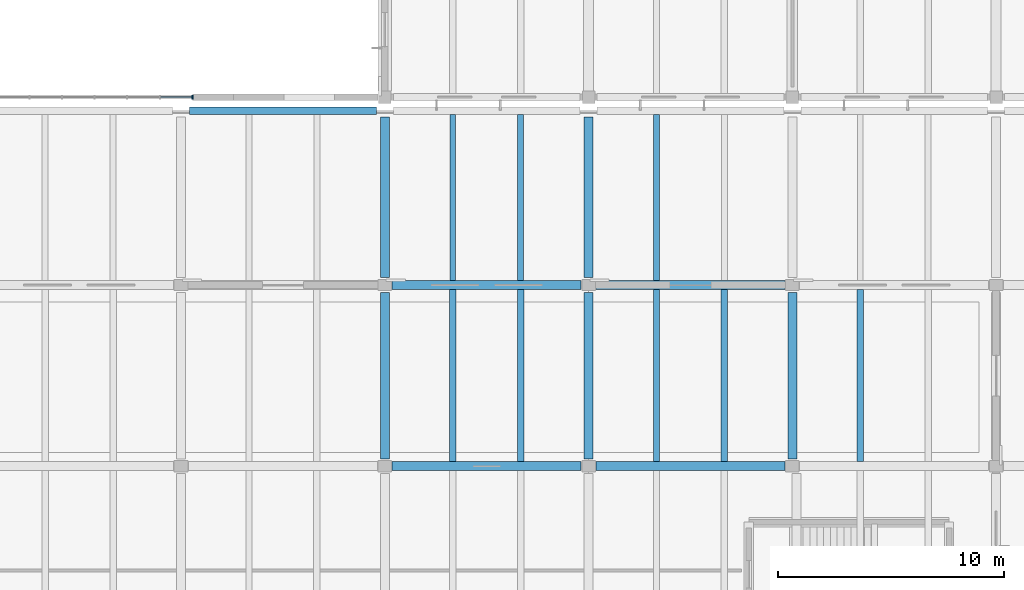
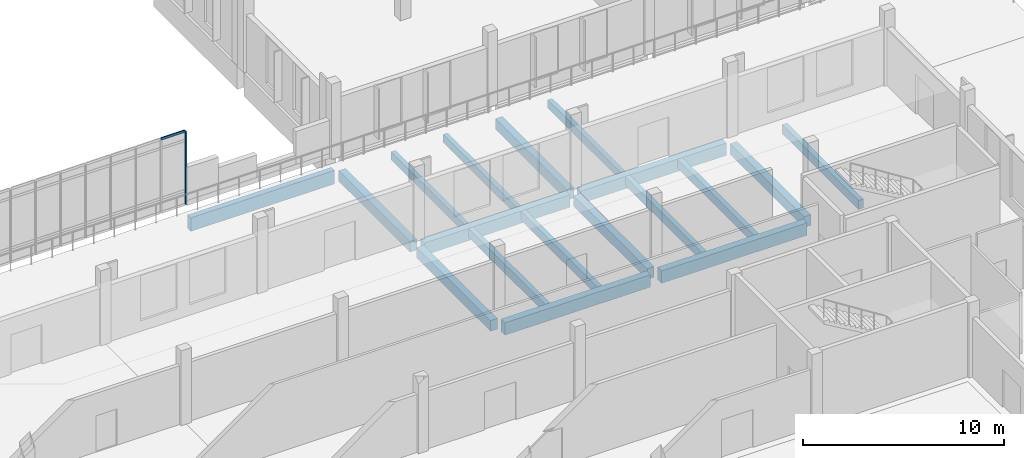
# One storey, part 16 of 63: 18 beams, 2 members, 1 element without a shape of its own.
"""IFC4 building model written with IfcOpenShell, lengths in metres."""

import ifcopenshell
import ifcopenshell.guid

model = None  # the IFC model being written
_history = None  # IfcOwnerHistory: only IFC2X3 demands one
_inside = {}  # id of a spatial element -> (the spatial element, [elements in it])
_under = {}  # id of a project, library or spatial element -> (it, [spatial elements below it])
_declared = {}  # id of a project -> (the project, [libraries it declares])
_typed = {}  # id of a type object -> (the type object, [elements of that type])
_made_of = {}  # id of a material, layer set ... -> (it, [elements and type objects made of it])


def new_model(schema):
    """Start an empty IFC model of exactly this schema.

    Asked for "IFC4X3", IfcOpenShell would pick the latest addendum, in which some entities
    have other attributes; the version numbers below select the first issue.
    IFC2X3 requires an IfcOwnerHistory on every rooted entity: one is made here for all.
    """
    global model, _history
    if schema == "IFC4X3":
        model = ifcopenshell.file(schema_version=(4, 3, 0, 0))
    else:
        model = ifcopenshell.file(schema=schema)
    _inside.clear()
    _under.clear()
    _declared.clear()
    _typed.clear()
    _made_of.clear()
    _history = None
    if model.schema == "IFC2X3":
        org = make("IfcOrganization", Name="unknown")
        user = make(
            "IfcPersonAndOrganization",
            ThePerson=make("IfcPerson", FamilyName="unknown"),
            TheOrganization=org,
        )
        app = make(
            "IfcApplication",
            ApplicationDeveloper=org,
            Version="unknown",
            ApplicationFullName="unknown",
            ApplicationIdentifier="unknown",
        )
        _history = make(
            "IfcOwnerHistory",
            OwningUser=user,
            OwningApplication=app,
            ChangeAction="ADDED",
            CreationDate=0,
        )
    return model


def make(cls, **values):
    """One entity of the class cls with the attributes given. An attribute that is None is left unset."""
    return model.create_entity(
        cls, **{name: value for name, value in values.items() if value is not None}
    )


def rooted(cls, **values):
    """An entity with a GlobalId (a new one), such as an element, a storey or a relation."""
    return make(cls, GlobalId=ifcopenshell.guid.new(), OwnerHistory=_history, **values)


def si_unit(unit_type, name, prefix=None):
    """IfcSIUnit, for example si_unit("LENGTHUNIT", "METRE", prefix="MILLI")."""
    return make("IfcSIUnit", UnitType=unit_type, Prefix=prefix, Name=name)


def assignment(units):
    """IfcUnitAssignment: the units of a project."""
    return None if units is None else make("IfcUnitAssignment", Units=units)


def point(xyz):
    """IfcCartesianPoint."""
    return None if xyz is None else make("IfcCartesianPoint", Coordinates=xyz)


def direction(xyz):
    """IfcDirection."""
    return None if xyz is None else make("IfcDirection", DirectionRatios=xyz)


def frame(location, z_axis=None, x_axis=None):
    """IfcAxis2Placement3D, a coordinate frame: its origin and axes. An axis left out is left unset."""
    return make(
        "IfcAxis2Placement3D",
        Location=point(location),
        Axis=direction(z_axis),
        RefDirection=direction(x_axis),
    )


def frame_2d(location, x_axis=None):
    """IfcAxis2Placement2D, a coordinate frame in the plane: its origin and x axis."""
    return make(
        "IfcAxis2Placement2D", Location=point(location), RefDirection=direction(x_axis)
    )


def origin():
    """The frame at (0, 0, 0) with its axes left unset."""
    return frame((0.0, 0.0, 0.0))


def origin_2d():
    """The frame at (0, 0) in the plane with its x axis left unset."""
    return frame_2d((0.0, 0.0))


def place(relative_to, where):
    """IfcLocalPlacement: puts the frame where relative to a parent placement (None: the world)."""
    return make(
        "IfcLocalPlacement", PlacementRelTo=relative_to, RelativePlacement=where
    )


def context(
    kind, dimensions, precision=None, world=None, true_north=None, identifier=None
):
    """IfcGeometricRepresentationContext, for example the 3D "Model" context."""
    return make(
        "IfcGeometricRepresentationContext",
        ContextIdentifier=identifier,
        ContextType=kind,
        CoordinateSpaceDimension=dimensions,
        Precision=precision,
        WorldCoordinateSystem=world,
        TrueNorth=true_north,
    )


def subcontext(parent, identifier, kind, view, scale=None):
    """IfcGeometricRepresentationSubContext, for example "Body" below "Model"."""
    return make(
        "IfcGeometricRepresentationSubContext",
        ContextIdentifier=identifier,
        ContextType=kind,
        ParentContext=parent,
        TargetScale=scale,
        TargetView=view,
    )


def project(units=None, contexts=None):
    """IfcProject with its units and contexts."""
    return rooted(
        "IfcProject",
        Name="project",
        RepresentationContexts=contexts,
        UnitsInContext=assignment(units),
    )


def spatial(cls, under=None, at=None, **own):
    """A site, building, storey or space (cls), placed at a placement, below another one or the project."""
    s = rooted(cls, ObjectPlacement=at, **own)
    if under is not None:
        _under.setdefault(under.id(), (under, []))[1].append(s)
    return s


def profile(cls, at=None, kind="AREA", **sizes):
    """A parametric profile (cls). Its sizes go by their IFC names, for example OverallWidth=200.0."""
    return make(cls, ProfileType=kind, Position=at, **sizes)


def rectangle(**sizes):
    """IfcRectangleProfileDef."""
    return profile("IfcRectangleProfileDef", **sizes)


def extrude(swept, where, along, depth):
    """IfcExtrudedAreaSolid: the profile swept, set in the frame where, extruded along a direction by depth."""
    return make(
        "IfcExtrudedAreaSolid",
        SweptArea=swept,
        Position=where,
        ExtrudedDirection=direction(along),
        Depth=depth,
    )


def shape(context_of_items, identifier, shape_type, items):
    """IfcShapeRepresentation: the items that make up one representation, for example the "Body"."""
    return make(
        "IfcShapeRepresentation",
        ContextOfItems=context_of_items,
        RepresentationIdentifier=identifier,
        RepresentationType=shape_type,
        Items=items,
    )


def material(Name=None, Category=None):
    """IfcMaterial."""
    return make("IfcMaterial", Name=Name, Category=Category)


def layer(
    of_material, thickness, ventilated=None, Name=None, Category=None, Priority=None
):
    """IfcMaterialLayer: one layer of a wall or slab, of a material (None: an air gap)."""
    return make(
        "IfcMaterialLayer",
        Material=of_material,
        LayerThickness=thickness,
        IsVentilated=ventilated,
        Name=Name,
        Category=Category,
        Priority=Priority,
    )


def layer_set(layers, Name=None):
    """IfcMaterialLayerSet."""
    return make("IfcMaterialLayerSet", MaterialLayers=layers, LayerSetName=Name)


def material_profile(
    of_material, cross_section, Name=None, Category=None, Priority=None
):
    """IfcMaterialProfile: a cross section and its material."""
    return make(
        "IfcMaterialProfile",
        Name=Name,
        Material=of_material,
        Profile=cross_section,
        Priority=Priority,
        Category=Category,
    )


def profile_set(profiles, Name=None, composite=None):
    """IfcMaterialProfileSet."""
    return make(
        "IfcMaterialProfileSet",
        Name=Name,
        MaterialProfiles=profiles,
        CompositeProfile=composite,
    )


def made_of(thing, what):
    """Note that an element or type object is made of a material, layer set ...; save() writes the relation."""
    if what is not None:
        _made_of.setdefault(what.id(), (what, []))[1].append(thing)
    return thing


def type_object(cls, material=None, **own):
    """A type object (cls), such as IfcWallType, which elements share."""
    return made_of(rooted(cls, **own), material)


def element(
    cls,
    number,
    at=None,
    inside=None,
    cuts=None,
    type_object=None,
    material=None,
    context=None,
    identifier="Body",
    shape_type=None,
    held_by="IfcProductDefinitionShape",
    body=None,
    shapes=None,
    **own,
):
    """One element of the class cls, such as IfcWall. Its Tag is "e" and its number.

    at: its placement. inside: the storey or other place that contains it. cuts: it is an
    opening in that element (IfcRelVoidsElement). A single representation is given by context,
    identifier, shape_type and body (its items); several are given by shapes. held_by: the class
    of the entity that holds the representations. save() writes the other relations.
    """
    e = rooted(cls, Tag="e%d" % number, ObjectPlacement=at, **own)
    if body is not None:
        shapes = [shape(context, identifier, shape_type, body)]
    if shapes is not None:
        e.Representation = make(held_by, Representations=shapes)
    if inside is not None:
        _inside.setdefault(inside.id(), (inside, []))[1].append(e)
    if cuts is not None:
        rooted(
            "IfcRelVoidsElement", RelatingBuildingElement=cuts, RelatedOpeningElement=e
        )
    if type_object is not None:
        _typed.setdefault(type_object.id(), (type_object, []))[1].append(e)
    return made_of(e, material)


def aggregate(whole, parts):
    """IfcRelAggregates: a whole, such as a stair, and the parts it consists of."""
    return rooted("IfcRelAggregates", RelatingObject=whole, RelatedObjects=parts)


def save(model, path):
    """Write the relations noted so far, then the file.

    IfcRelAggregates (storeys below a building ...), IfcRelContainedInSpatialStructure (elements
    in a storey), IfcRelDefinesByType, IfcRelAssociatesMaterial and IfcRelDeclares: one each for
    every whole, place, type object, material and project.
    """
    for whole, parts in _under.values():
        aggregate(whole, parts)
    for where, things in _inside.values():
        rooted(
            "IfcRelContainedInSpatialStructure",
            RelatedElements=things,
            RelatingStructure=where,
        )
    for kind, things in _typed.values():
        rooted("IfcRelDefinesByType", RelatedObjects=things, RelatingType=kind)
    for what, things in _made_of.values():
        rooted("IfcRelAssociatesMaterial", RelatedObjects=things, RelatingMaterial=what)
    for by, libraries in _declared.values():
        rooted("IfcRelDeclares", RelatingContext=by, RelatedDefinitions=libraries)
    model.write(path)


model = new_model("IFC4")

# Units and contexts
model_context = context("Model", 3, precision=1e-05, world=origin(), true_north=direction((0.0, 1.0)))
body_context = subcontext(model_context, "Body", "Model", "MODEL_VIEW")
ifc_project = project(units=[si_unit("LENGTHUNIT", "METRE"), si_unit("AREAUNIT", "SQUARE_METRE"), si_unit("VOLUMEUNIT", "CUBIC_METRE"), si_unit("PLANEANGLEUNIT", "RADIAN"), si_unit("MASSUNIT", "GRAM", prefix="KILO")], contexts=[model_context])

# Site, building, storey
site_placement = place(None, origin())
site = spatial("IfcSite", under=ifc_project, at=site_placement, CompositionType="ELEMENT")
building_placement = place(site_placement, origin())
building = spatial("IfcBuilding", under=site, at=building_placement, Name="Zacnel Wholesale Market", CompositionType="ELEMENT")
storey_placement = place(building_placement, frame((0.0, 0.0, 11.199951171875)))
storey = spatial("IfcBuildingStorey", under=building, at=storey_placement, Name="L03", CompositionType="ELEMENT", Elevation=11.199951171875)

# Beams
ifc_material_1 = material(Name="Precast concrete C45/55", Category="concrete")
ifc_material_profile_1 = material_profile(ifc_material_1, rectangle(XDim=0.280029296875, YDim=0.550048828125, at=origin_2d()), Name="DT RIB 280x550")
ifc_profile_set_1 = profile_set([ifc_material_profile_1], Name="Precast concrete C45/55")
beam_type_1 = type_object("IfcBeamType", Name="BM-DT550", PredefinedType="JOIST", material=ifc_profile_set_1)
for number, where, z_axis, x_axis, name in (
    (1, (183.0, 32.199951171875, -0.574951171875), (0.0, 1.0, 0.0), (-1.0, 0.0, 0.0), "Precast secondary joist L03-0439"),
    (2, (186.0, 32.199951171875, -0.574951171875), (0.0, 1.0, 0.0), (-1.0, 0.0, 0.0), "Precast secondary joist L03-0440"),
    (3, (192.0, 32.199951171875, -0.574951171875), (0.0, 1.0, 0.0), (-1.0, 0.0, 0.0), "Precast secondary joist L03-0441"),
    (4, (195.0, 32.199951171875, -0.574951171875), (0.0, 1.0, 0.0), (-1.0, 0.0, 0.0), "Precast secondary joist L03-0442"),
    (5, (201.0, 32.199951171875, -0.574951171875), (0.0, 1.0, 0.0), (-1.0, 0.0, 0.0), "Precast secondary joist L03-0443"),
):
    element("IfcBeam", number, at=place(storey_placement, frame(where, z_axis=z_axis, x_axis=x_axis)), inside=storey, type_object=beam_type_1, Name=name, PredefinedType="JOIST", context=body_context, shape_type="SweptSolid", body=[
        extrude(rectangle(XDim=0.280029296875, YDim=0.550048828125, at=origin_2d()), origin(), (0.0, 0.0, 1.0), 7.60009765625),
    ])
ifc_material_2 = material(Name="Precast concrete C45/55", Category="concrete")
ifc_material_profile_2 = material_profile(ifc_material_2, rectangle(XDim=0.39990234375, YDim=0.64990234375, at=origin_2d()), Name="PG 400x650")
ifc_profile_set_2 = profile_set([ifc_material_profile_2], Name="Precast concrete C45/55")
beam_type_2 = type_object("IfcBeamType", Name="BM-PG650", PredefinedType="BEAM", material=ifc_profile_set_2)
beam_1_placement = place(storey_placement, frame((180.0, 32.324951171875, -0.625), z_axis=(0.0, 1.0, 0.0), x_axis=(-1.0, 0.0, 0.0)))
element("IfcBeam", 6, at=beam_1_placement, inside=storey, type_object=beam_type_2, Name="Precast girder Y-0957", PredefinedType="BEAM", context=body_context, shape_type="SweptSolid", body=[
    extrude(rectangle(XDim=0.39990234375, YDim=0.64990234375, at=origin_2d()), origin(), (0.0, 0.0, 1.0), 7.35009765625),
])
beam_2_placement = place(storey_placement, frame((180.0, 40.324951171875, -0.6650390625), z_axis=(0.0, 1.0, 0.0), x_axis=(-1.0, 0.0, 0.0)))
element("IfcBeam", 7, at=beam_2_placement, inside=storey, type_object=beam_type_2, Name="Precast girder Y-0958", PredefinedType="BEAM", context=body_context, shape_type="SweptSolid", body=[
    extrude(rectangle(XDim=0.39990234375, YDim=0.64990234375, at=origin_2d()), origin(), (0.0, 0.0, 1.0), 7.10009765625),
])
beam_3_placement = place(storey_placement, frame((189.0, 32.324951171875, -0.625), z_axis=(0.0, 1.0, 0.0), x_axis=(-1.0, 0.0, 0.0)))
element("IfcBeam", 8, at=beam_3_placement, inside=storey, type_object=beam_type_2, Name="Precast girder Y-0969", PredefinedType="BEAM", context=body_context, shape_type="SweptSolid", body=[
    extrude(rectangle(XDim=0.39990234375, YDim=0.64990234375, at=origin_2d()), origin(), (0.0, 0.0, 1.0), 7.35009765625),
])
beam_4_placement = place(storey_placement, frame((189.0, 40.324951171875, -0.6650390625), z_axis=(0.0, 1.0, 0.0), x_axis=(-1.0, 0.0, 0.0)))
element("IfcBeam", 9, at=beam_4_placement, inside=storey, type_object=beam_type_2, Name="Precast girder Y-0970", PredefinedType="BEAM", context=body_context, shape_type="SweptSolid", body=[
    extrude(rectangle(XDim=0.39990234375, YDim=0.64990234375, at=origin_2d()), origin(), (0.0, 0.0, 1.0), 7.10009765625),
])
beam_5_placement = place(storey_placement, frame((198.0, 32.324951171875, -0.625), z_axis=(0.0, 1.0, 0.0), x_axis=(-1.0, 0.0, 0.0)))
element("IfcBeam", 10, at=beam_5_placement, inside=storey, type_object=beam_type_2, Name="Precast girder Y-0981", PredefinedType="BEAM", context=body_context, shape_type="SweptSolid", body=[
    extrude(rectangle(XDim=0.39990234375, YDim=0.64990234375, at=origin_2d()), origin(), (0.0, 0.0, 1.0), 7.35009765625),
])
ifc_material_3 = material(Name="Precast concrete C45/55", Category="concrete")
ifc_material_profile_3 = material_profile(ifc_material_3, rectangle(XDim=0.39990234375, YDim=0.75, at=origin_2d()), Name="PG 400x750")
ifc_profile_set_3 = profile_set([ifc_material_profile_3], Name="Precast concrete C45/55")
beam_type_3 = type_object("IfcBeamType", Name="BM-PG750", PredefinedType="BEAM", material=ifc_profile_set_3)
for number, where, z_axis, x_axis, name in (
    (11, (180.324951171875, 32.0, -0.675048828125), (1.0, 0.0, 0.0), (0.0, 1.0, 0.0), "Precast girder X-0627"),
    (12, (189.324951171875, 32.0, -0.675048828125), (1.0, 0.0, 0.0), (0.0, 1.0, 0.0), "Precast girder X-0628"),
    (13, (180.324951171875, 40.0, -0.675048828125), (1.0, 0.0, 0.0), (0.0, 1.0, 0.0), "Precast girder X-0646"),
    (14, (189.324951171875, 40.0, -0.675048828125), (1.0, 0.0, 0.0), (0.0, 1.0, 0.0), "Precast girder X-0647"),
):
    element("IfcBeam", number, at=place(storey_placement, frame(where, z_axis=z_axis, x_axis=x_axis)), inside=storey, type_object=beam_type_3, Name=name, PredefinedType="BEAM", context=body_context, shape_type="SweptSolid", body=[
        extrude(rectangle(XDim=0.39990234375, YDim=0.75, at=origin_2d()), origin(), (0.0, 0.0, 1.0), 8.35009765625),
    ])
ifc_material_4 = material(Name="Precast concrete C45/55", Category="concrete")
ifc_material_profile_4 = material_profile(ifc_material_4, rectangle(XDim=0.260009765625, YDim=0.5, at=origin_2d()), Name="PJ 260x500")
ifc_profile_set_4 = profile_set([ifc_material_profile_4], Name="Precast concrete C45/55")
beam_type_4 = type_object("IfcBeamType", Name="BM-PJ500", PredefinedType="HOLLOWCORE", material=ifc_profile_set_4)
for number, where, z_axis, x_axis, name in (
    (15, (183.0, 40.199951171875, -0.58984375), (0.0, 1.0, 0.0), (-1.0, 0.0, 0.0), "Precast secondary joist L03-0467"),
    (16, (186.0, 40.199951171875, -0.58984375), (0.0, 1.0, 0.0), (-1.0, 0.0, 0.0), "Precast secondary joist L03-0468"),
    (17, (192.0, 40.199951171875, -0.58984375), (0.0, 1.0, 0.0), (-1.0, 0.0, 0.0), "Precast secondary joist L03-0469"),
):
    element("IfcBeam", number, at=place(storey_placement, frame(where, z_axis=z_axis, x_axis=x_axis)), inside=storey, type_object=beam_type_4, Name=name, PredefinedType="HOLLOWCORE", context=body_context, shape_type="SweptSolid", body=[
        extrude(rectangle(XDim=0.260009765625, YDim=0.5, at=origin_2d()), origin(), (0.0, 0.0, 1.0), 7.340087890625),
    ])
ifc_material_5 = material(Name="Precast concrete C45/55", Category="concrete")
ifc_material_profile_5 = material_profile(ifc_material_5, rectangle(XDim=0.320068359375, YDim=0.820068359375, at=origin_2d()), Name="SP 320x820")
ifc_profile_set_5 = profile_set([ifc_material_profile_5], Name="Precast concrete C45/55")
beam_type_5 = type_object("IfcBeamType", Name="BM-SP820", PredefinedType="SPANDREL", material=ifc_profile_set_5)
beam_6_placement = place(storey_placement, frame((171.375, 47.699951171875, -0.75), z_axis=(1.0, 0.0, 0.0), x_axis=(0.0, 1.0, 0.0)))
element("IfcBeam", 18, at=beam_6_placement, inside=storey, type_object=beam_type_5, Name="Precast girder X-0665", PredefinedType="SPANDREL", context=body_context, shape_type="SweptSolid", body=[
    extrude(rectangle(XDim=0.320068359375, YDim=0.820068359375, at=origin_2d()), origin(), (0.0, 0.0, 1.0), 8.25),
])

# Curtain wall, members
ifc_material_6 = material(Name="Anodised aluminium", Category="aluminium")
ifc_layer = layer(ifc_material_6, 0.159912109375)
ifc_layer_set = layer_set([ifc_layer], Name="Anodised aluminium")
curtain_wall_type = type_object("IfcCurtainWallType", Name="CW-NAVE-4200", PredefinedType="NOTDEFINED", material=ifc_layer_set)
curtain_wall_placement = place(storey_placement, origin())
curtain_wall = element("IfcCurtainWall", 19, at=curtain_wall_placement, inside=storey, type_object=curtain_wall_type, Name="Curtain wall ENV-CW-GABLE-E-S", PredefinedType="NOTDEFINED")
ifc_material_7 = material(Name="Anodised aluminium", Category="aluminium")
ifc_material_profile_6 = material_profile(ifc_material_7, rectangle(XDim=0.06494140625, YDim=0.179931640625, at=origin_2d()), Name="AW-MULLION 65x180")
ifc_profile_set_6 = profile_set([ifc_material_profile_6], Name="Anodised aluminium")
member_type_1 = type_object("IfcMemberType", Name="CWM-MUL-03", PredefinedType="MULLION", material=ifc_profile_set_6)
member_1_placement = place(storey_placement, frame((171.5, 48.300048828125, 0.0), z_axis=(0.0, 0.0, 1.0), x_axis=(1.0, 0.0, 0.0)))
member_1 = element("IfcMember", 20, at=member_1_placement, type_object=member_type_1, Name="ENV-CW-GABLE-E-S mullion 14", PredefinedType="MULLION", context=body_context, shape_type="SweptSolid", body=[
    extrude(rectangle(XDim=0.06494140625, YDim=0.179931640625, at=origin_2d()), origin(), (0.0, 0.0, 1.0), 4.449951171875),
])
ifc_material_8 = material(Name="Anodised aluminium", Category="aluminium")
ifc_material_profile_7 = material_profile(ifc_material_8, rectangle(XDim=0.06494140625, YDim=0.139892578125, at=origin_2d()), Name="AW-TRANSOM 65x140")
ifc_profile_set_7 = profile_set([ifc_material_profile_7], Name="Anodised aluminium")
member_type_2 = type_object("IfcMemberType", Name="CWM-TRN-03", PredefinedType="USERDEFINED", material=ifc_profile_set_7)
member_2_placement = place(storey_placement, frame((170.096435546875, 48.300048828125, 4.449951171875), z_axis=(1.0, 0.0, 0.0), x_axis=(0.0, 1.0, 0.0)))
member_2 = element("IfcMember", 21, at=member_2_placement, type_object=member_type_2, Name="ENV-CW-GABLE-E-S transom 13-4", ObjectType="TRANSOM", PredefinedType="USERDEFINED", context=body_context, shape_type="SweptSolid", body=[
    extrude(rectangle(XDim=0.06494140625, YDim=0.139892578125, at=origin_2d()), origin(), (0.0, 0.0, 1.0), 1.36865234375),
])
aggregate(curtain_wall, [member_1, member_2])

save(model, "model.ifc")
